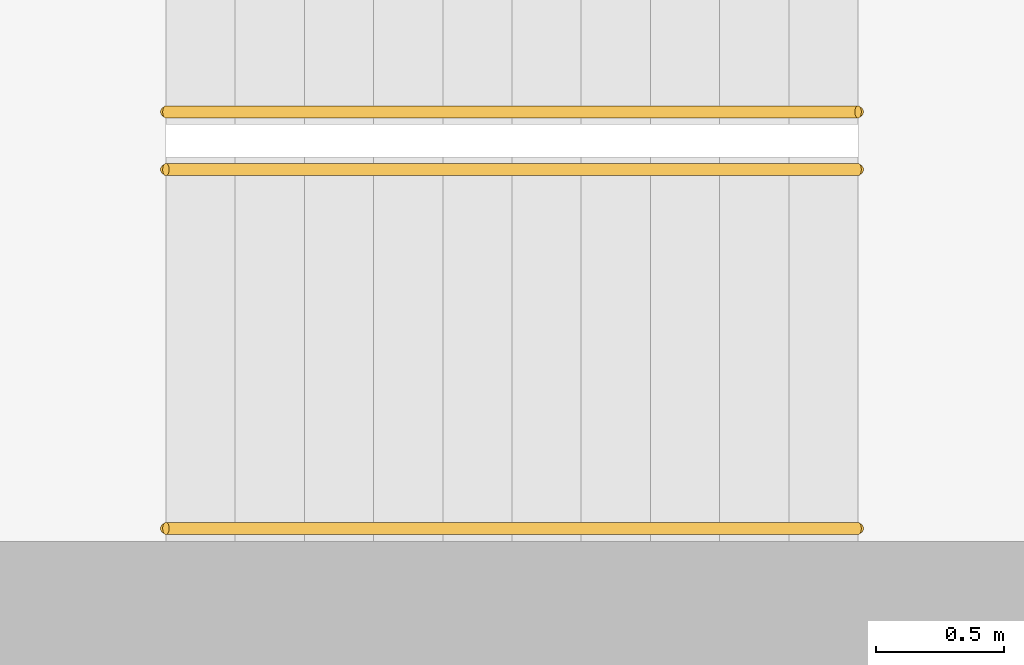
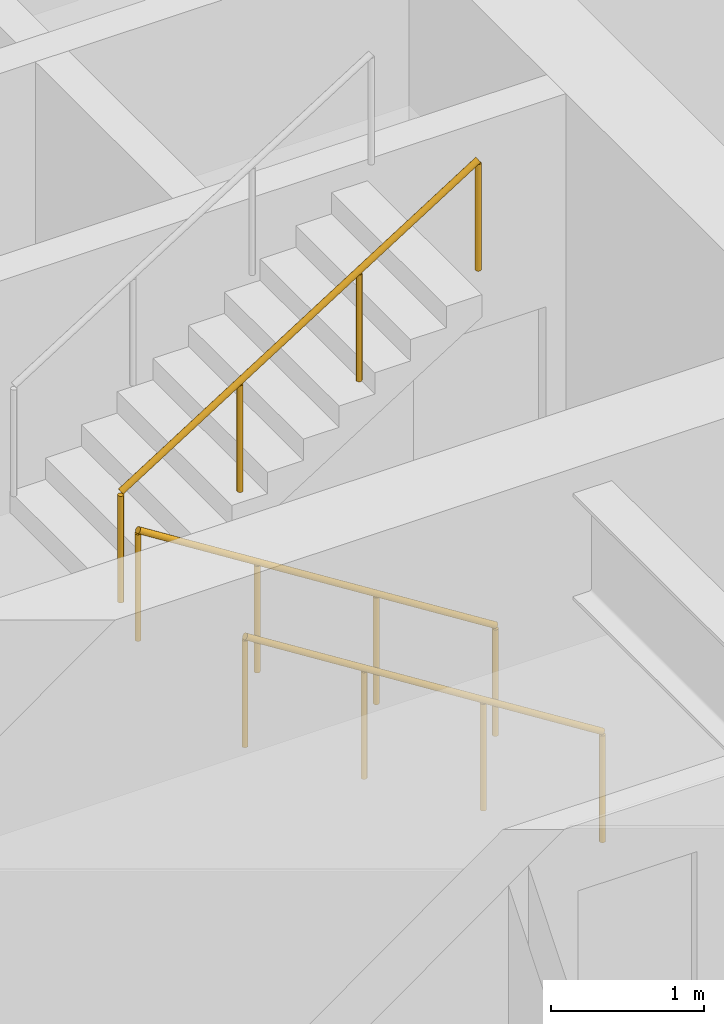
# One storey, part 13 of 16: 3 railings.
"""IFC4 building model written with IfcOpenShell, lengths in metres."""

from ifc_helpers import new_model, si_unit, direction, frame, origin, origin_2d, place, context, subcontext, project, spatial, circle, extrude, material, type_object, element, save


model = new_model("IFC4")

# Units and contexts
model_context = context("Model", 3, precision=1e-05, world=origin(), true_north=direction((0.0, 1.0)))
body_context = subcontext(model_context, "Body", "Model", "MODEL_VIEW")
ifc_project = project(units=[si_unit("LENGTHUNIT", "METRE"), si_unit("AREAUNIT", "SQUARE_METRE"), si_unit("VOLUMEUNIT", "CUBIC_METRE"), si_unit("PLANEANGLEUNIT", "RADIAN"), si_unit("MASSUNIT", "GRAM", prefix="KILO")], contexts=[model_context])

# Site, building, storey
site_placement = place(None, origin())
site = spatial("IfcSite", under=ifc_project, at=site_placement, CompositionType="ELEMENT")
building_placement = place(site_placement, origin())
building = spatial("IfcBuilding", under=site, at=building_placement, Name="Msasa Ring Tower", CompositionType="ELEMENT")
storey_placement = place(building_placement, frame((0.0, 0.0, 219.550048828125)))
storey = spatial("IfcBuildingStorey", under=building, at=storey_placement, Name="L57", CompositionType="ELEMENT", Elevation=219.550048828125)

# Railings
ifc_material = material(Name="Stainless steel", Category="steel")
railing_type = type_object("IfcRailingType", Name="HR1 HANDRAIL 900", PredefinedType="HANDRAIL", material=ifc_material)
for number, where, name in (
    (1, (-10.800048828125, -6.39990234375, 0.17041015625), "Handrail stair SWA L57 1"),
    (2, (-10.800048828125, -5.0, 0.17041015625), "Handrail stair SWA L57 2"),
):
    element("IfcRailing", number, at=place(storey_placement, frame(where)), inside=storey, type_object=railing_type, Name=name, PredefinedType="HANDRAIL", context=body_context, shape_type="SweptSolid", body=[
        extrude(circle(Radius=0.02392578125, at=origin_2d()), frame((0.0, 0.0, 0.8759765625), z_axis=(-0.845579735284, 0.0, 0.533849146555), x_axis=(0.0, -1.0, 0.0)), (0.0, 0.0, 1.0), 3.193115234375),
        extrude(circle(Radius=0.02099609375, at=origin_2d()), origin(), (0.0, 0.0, 1.0), 0.851806640625),
        extrude(circle(Radius=0.02099609375, at=origin_2d()), frame((-0.89990234375, 0.0, 0.568115234375)), (0.0, 0.0, 1.0), 0.851806640625),
        extrude(circle(Radius=0.02099609375, at=origin_2d()), frame((-1.800048828125, 0.0, 1.136474609375)), (0.0, 0.0, 1.0), 0.851806640625),
        extrude(circle(Radius=0.02099609375, at=origin_2d()), frame((-2.699951171875, 0.0, 1.70458984375)), (0.0, 0.0, 1.0), 0.851806640625),
    ])
railing_placement = place(storey_placement, frame((-13.5, -4.77490234375, 2.04541015625)))
element("IfcRailing", 3, at=railing_placement, inside=storey, type_object=railing_type, Name="Handrail stair SWA L57 3", PredefinedType="HANDRAIL", context=body_context, shape_type="SweptSolid", body=[
    extrude(circle(Radius=0.02392578125, at=origin_2d()), frame((0.0, 0.0, 0.8759765625), z_axis=(0.845579735284, 0.0, 0.533849146555), x_axis=(0.0, 1.0, 0.0)), (0.0, 0.0, 1.0), 3.193115234375),
    extrude(circle(Radius=0.02099609375, at=origin_2d()), origin(), (0.0, 0.0, 1.0), 0.851806640625),
    extrude(circle(Radius=0.02099609375, at=origin_2d()), frame((0.89990234375, 0.0, 0.568115234375)), (0.0, 0.0, 1.0), 0.851806640625),
    extrude(circle(Radius=0.02099609375, at=origin_2d()), frame((1.800048828125, 0.0, 1.136474609375)), (0.0, 0.0, 1.0), 0.851806640625),
    extrude(circle(Radius=0.02099609375, at=origin_2d()), frame((2.699951171875, 0.0, 1.70458984375)), (0.0, 0.0, 1.0), 0.851806640625),
])

save(model, "model.ifc")
